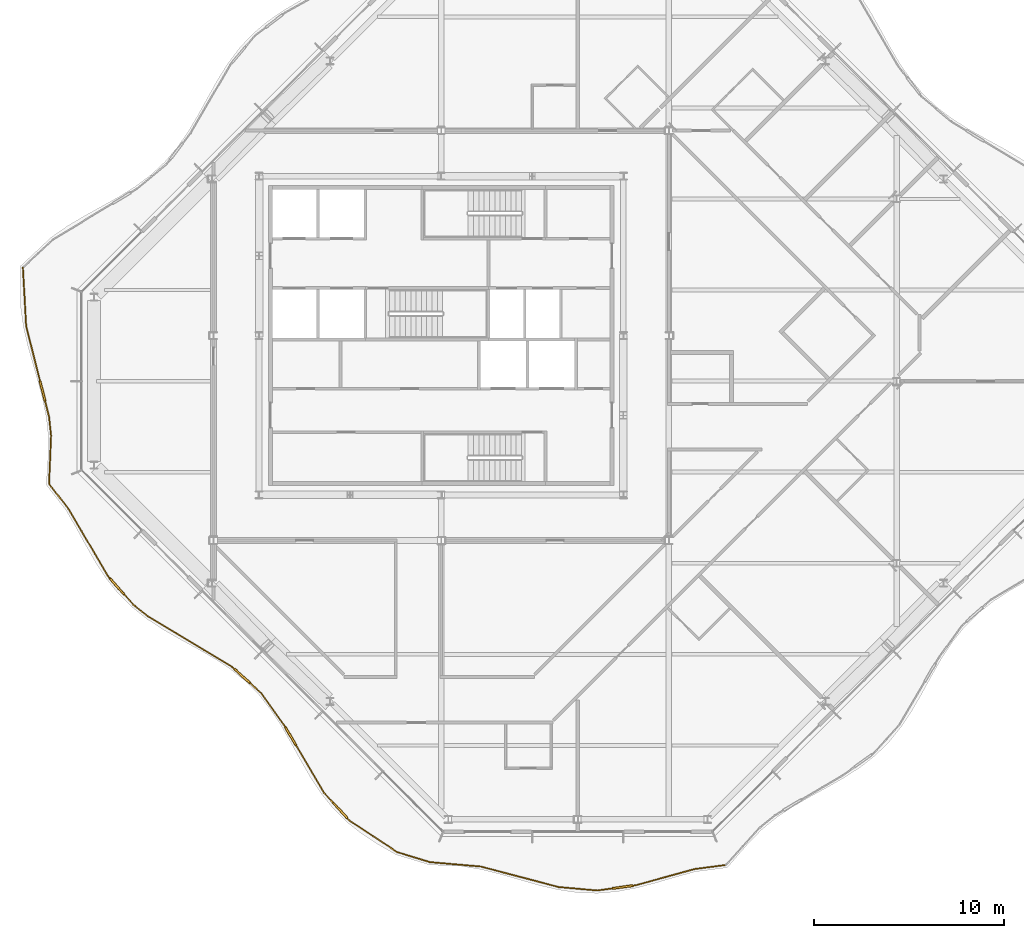
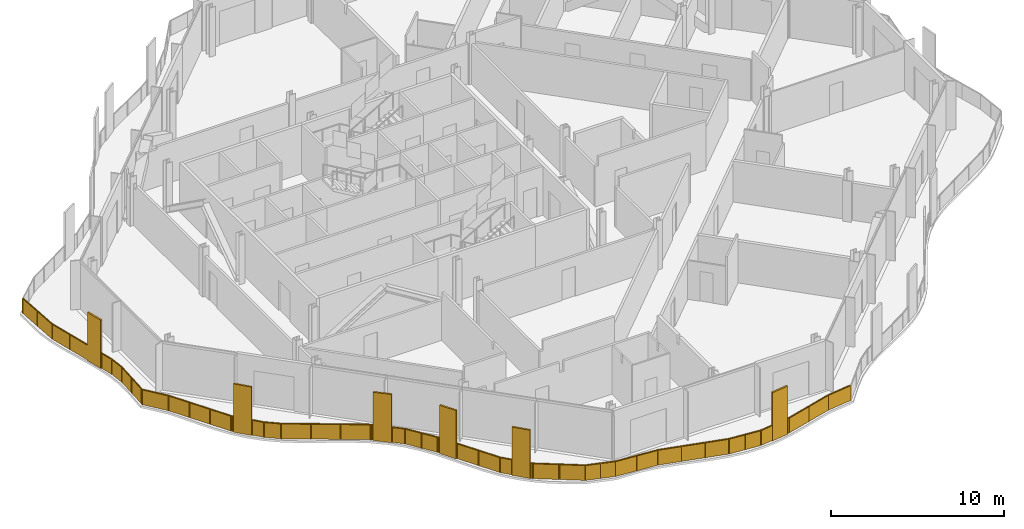
# One storey, part 13 of 17: 2 railings.
"""IFC4 building model written with IfcOpenShell, lengths in metres."""

from ifc_helpers import new_model, si_unit, direction, frame, origin, origin_2d, place, context, subcontext, project, spatial, polyline, rectangle, outline, extrude, material, type_object, element, save


model = new_model("IFC4")

# Units and contexts
model_context = context("Model", 3, precision=1e-05, world=origin(), true_north=direction((0.0, 1.0)))
body_context = subcontext(model_context, "Body", "Model", "MODEL_VIEW")
ifc_project = project(units=[si_unit("LENGTHUNIT", "METRE"), si_unit("AREAUNIT", "SQUARE_METRE"), si_unit("VOLUMEUNIT", "CUBIC_METRE"), si_unit("PLANEANGLEUNIT", "RADIAN"), si_unit("MASSUNIT", "GRAM", prefix="KILO")], contexts=[model_context])

# Site, building, storey
site_placement = place(None, origin())
site = spatial("IfcSite", under=ifc_project, at=site_placement, CompositionType="ELEMENT")
building_placement = place(site_placement, origin())
building = spatial("IfcBuilding", under=site, at=building_placement, Name="Cairn Pilgrim Tower", CompositionType="ELEMENT")
storey_placement = place(building_placement, frame((0.0, 0.0, 274.199951171875)))
storey = spatial("IfcBuildingStorey", under=building, at=storey_placement, Name="L70", CompositionType="ELEMENT", Elevation=274.199951171875)

# Railings
ifc_material = material(Name="Bronze anodised aluminium rail, posts and fin screens with laminated glass infill", Category="aluminium")
railing_type = type_object("IfcRailingType", Name="BALCONY GUARD WITH FIN SCREENS", PredefinedType="GUARDRAIL", material=ifc_material)
railing_1_placement = place(storey_placement, frame((-14.84521484375, 5.98046875, 0.0)))
element("IfcRailing", 1, at=railing_1_placement, inside=storey, type_object=railing_type, Name="Balcony guard BGF-6 with fin screens", PredefinedType="GUARDRAIL", context=body_context, shape_type="SweptSolid", body=[
    extrude(rectangle(XDim=0.050048828125, YDim=0.050048828125, at=origin_2d()), frame((0.0, 0.0, 1.0751953125), z_axis=(0.055123484035, -0.998479544862, 0.0), x_axis=(0.998479544862, 0.055123484035, 0.0)), (0.0, 0.0, 1.0), 3.08251953125),
    extrude(rectangle(XDim=1.10009765625, YDim=0.110107421875, at=origin_2d()), frame((1.032958984375, -6.500732421875, 0.0), z_axis=(0.0, 0.0, 1.0), x_axis=(0.244521062946, -0.969643980941, 0.0)), (0.0, 0.0, 1.0), 3.39990234375),
    extrude(rectangle(XDim=0.050048828125, YDim=0.050048828125, at=origin_2d()), frame((0.169921875, -3.077880859375, 1.0751953125), z_axis=(0.244521062946, -0.969643980941, 0.0), x_axis=(0.969643980941, 0.244521062946, 0.0)), (0.0, 0.0, 1.0), 2.97998046875),
    extrude(rectangle(XDim=0.050048828125, YDim=0.050048828125, at=origin_2d()), frame((1.16748046875, -7.033935546875, 1.0751953125), z_axis=(0.244521062946, -0.969643980941, 0.0), x_axis=(0.969643980941, 0.244521062946, 0.0)), (0.0, 0.0, 1.0), 0.866455078125),
    extrude(rectangle(XDim=0.050048828125, YDim=0.050048828125, at=origin_2d()), frame((1.37939453125, -7.8740234375, 1.0751953125), z_axis=(0.105109617708, -0.994460641889, 0.0), x_axis=(0.994460641889, 0.105109617708, 0.0)), (0.0, 0.0, 1.0), 0.987060546875),
    extrude(rectangle(XDim=0.050048828125, YDim=0.050048828125, at=origin_2d()), frame((1.483154296875, -8.855712890625, 1.0751953125), z_axis=(-0.041393903979, -0.999142905051, 0.0), x_axis=(0.999142905051, -0.041393903979, 0.0)), (0.0, 0.0, 1.0), 2.489013671875),
    extrude(rectangle(XDim=0.050048828125, YDim=0.050048828125, at=origin_2d()), origin(), (0.0, 0.0, 1.0), 1.050048828125),
    extrude(rectangle(XDim=0.050048828125, YDim=0.050048828125, at=origin_2d()), frame((0.0849609375, -1.5390625, 0.0)), (0.0, 0.0, 1.0), 1.050048828125),
    extrude(rectangle(XDim=0.050048828125, YDim=0.050048828125, at=origin_2d()), frame((0.169921875, -3.077880859375, 0.0)), (0.0, 0.0, 1.0), 1.050048828125),
    extrude(rectangle(XDim=0.050048828125, YDim=0.050048828125, at=origin_2d()), frame((0.53125, -4.510498046875, 0.0)), (0.0, 0.0, 1.0), 1.050048828125),
    extrude(rectangle(XDim=0.050048828125, YDim=0.050048828125, at=origin_2d()), frame((0.892578125, -5.943115234375, 0.0)), (0.0, 0.0, 1.0), 1.050048828125),
    extrude(rectangle(XDim=0.050048828125, YDim=0.050048828125, at=origin_2d()), frame((1.173583984375, -7.05810546875, 0.0)), (0.0, 0.0, 1.0), 1.050048828125),
    extrude(rectangle(XDim=0.050048828125, YDim=0.050048828125, at=origin_2d()), frame((1.37939453125, -7.8740234375, 0.0)), (0.0, 0.0, 1.0), 1.050048828125),
    extrude(rectangle(XDim=0.050048828125, YDim=0.050048828125, at=origin_2d()), frame((1.483154296875, -8.855712890625, 0.0)), (0.0, 0.0, 1.0), 1.050048828125),
    extrude(rectangle(XDim=0.050048828125, YDim=0.050048828125, at=origin_2d()), frame((1.431640625, -10.09912109375, 0.0)), (0.0, 0.0, 1.0), 1.050048828125),
    extrude(rectangle(XDim=0.050048828125, YDim=0.050048828125, at=origin_2d()), frame((1.380126953125, -11.342529296875, 0.0)), (0.0, 0.0, 1.0), 1.050048828125),
    extrude(outline(polyline([(0.02490234375, 0.0), (1.516357421875, 0.0), (1.516357421875, 1.050048828125), (0.02490234375, 1.050048828125), (0.02490234375, 0.0)])), frame((0.005859375, 0.000244140625, 0.0), z_axis=(-0.998479544862, -0.055123484035, 0.0), x_axis=(0.055123484035, -0.998479544862, 0.0)), (0.0, 0.0, 1.0), 0.011962890625),
    extrude(outline(polyline([(0.02490234375, 0.0), (1.516357421875, 0.0), (1.516357421875, 1.050048828125), (0.02490234375, 1.050048828125), (0.02490234375, 0.0)])), frame((0.0908203125, -1.53857421875, 0.0), z_axis=(-0.998479544862, -0.055123484035, 0.0), x_axis=(0.055123484035, -0.998479544862, 0.0)), (0.0, 0.0, 1.0), 0.011962890625),
    extrude(outline(polyline([(0.02490234375, 0.0), (1.452392578125, 0.0), (1.452392578125, 1.050048828125), (0.02490234375, 1.050048828125), (0.02490234375, 0.0)])), frame((0.17578125, -3.076416015625, 0.0), z_axis=(-0.969643980941, -0.244521062946, 0.0), x_axis=(0.244521062946, -0.969643980941, 0.0)), (0.0, 0.0, 1.0), 0.011962890625),
    extrude(outline(polyline([(0.02490234375, 0.0), (1.452392578125, 0.0), (1.452392578125, 1.050048828125), (0.02490234375, 1.050048828125), (0.02490234375, 0.0)])), frame((0.537109375, -4.509033203125, 0.0), z_axis=(-0.969643980941, -0.244521062946, 0.0), x_axis=(0.244521062946, -0.969643980941, 0.0)), (0.0, 0.0, 1.0), 0.011962890625),
    extrude(outline(polyline([(0.02490234375, 0.0), (0.81640625, 0.0), (0.81640625, 1.050048828125), (0.02490234375, 1.050048828125), (0.02490234375, 0.0)])), frame((1.179443359375, -7.056884765625, 0.0), z_axis=(-0.969643980941, -0.244521062946, 0.0), x_axis=(0.244521062946, -0.969643980941, 0.0)), (0.0, 0.0, 1.0), 0.011962890625),
    extrude(outline(polyline([(0.02490234375, 0.0), (0.962158203125, 0.0), (0.962158203125, 1.050048828125), (0.02490234375, 1.050048828125), (0.02490234375, 0.0)])), frame((1.38525390625, -7.873291015625, 0.0), z_axis=(-0.994460641889, -0.105109617708, 0.0), x_axis=(0.105109617708, -0.994460641889, 0.0)), (0.0, 0.0, 1.0), 0.011962890625),
    extrude(outline(polyline([(0.02490234375, 0.0), (1.219482421875, 0.0), (1.219482421875, 1.050048828125), (0.02490234375, 1.050048828125), (0.02490234375, 0.0)])), frame((1.489013671875, -8.85595703125, 0.0), z_axis=(-0.999142905051, 0.041393903979, 0.0), x_axis=(-0.041393903979, -0.999142905051, 0.0)), (0.0, 0.0, 1.0), 0.011962890625),
    extrude(outline(polyline([(0.02490234375, 0.0), (1.219482421875, 0.0), (1.219482421875, 1.050048828125), (0.02490234375, 1.050048828125), (0.02490234375, 0.0)])), frame((1.4375, -10.099365234375, 0.0), z_axis=(-0.999142905051, 0.041393903979, 0.0), x_axis=(-0.041393903979, -0.999142905051, 0.0)), (0.0, 0.0, 1.0), 0.011962890625),
])
railing_2_placement = place(storey_placement, frame((-13.467529296875, -5.421875, 0.0)))
element("IfcRailing", 2, at=railing_2_placement, inside=storey, type_object=railing_type, Name="Balcony guard BGF-7 with fin screens", PredefinedType="GUARDRAIL", context=body_context, shape_type="SweptSolid", body=[
    extrude(rectangle(XDim=0.050048828125, YDim=0.050048828125, at=origin_2d()), frame((0.0, 0.0, 1.0751953125), z_axis=(0.616035920196, -0.78771806189, 0.0), x_axis=(0.78771806189, 0.616035920196, 0.0)), (0.0, 0.0, 1.0), 1.643798828125),
    extrude(rectangle(XDim=0.050048828125, YDim=0.050048828125, at=origin_2d()), frame((1.0126953125, -1.294921875, 1.0751953125), z_axis=(0.506256665466, -0.862382855042, 0.0), x_axis=(0.862382855042, 0.506256665466, 0.0)), (0.0, 0.0, 1.0), 4.151611328125),
    extrude(rectangle(XDim=1.10009765625, YDim=0.110107421875, at=origin_2d()), frame((3.58056640625, -5.3974609375, 0.0), z_axis=(0.0, 0.0, 1.0), x_axis=(0.665849712698, -0.746085893246, 0.0)), (0.0, 0.0, 1.0), 3.39990234375),
    extrude(rectangle(XDim=0.050048828125, YDim=0.050048828125, at=origin_2d()), frame((3.114501953125, -4.875244140625, 1.0751953125), z_axis=(0.665849712698, -0.746085893246, 0.0), x_axis=(0.746085893246, 0.665849712698, 0.0)), (0.0, 0.0, 1.0), 0.150146484375),
    extrude(rectangle(XDim=0.050048828125, YDim=0.050048828125, at=origin_2d()), frame((3.94677734375, -5.807861328125, 1.0751953125), z_axis=(0.665849712698, -0.746085893246, 0.0), x_axis=(0.746085893246, 0.665849712698, 0.0)), (0.0, 0.0, 1.0), 0.73681640625),
    extrude(rectangle(XDim=0.050048828125, YDim=0.050048828125, at=origin_2d()), frame((4.4375, -6.357666015625, 1.0751953125), z_axis=(0.781422160821, -0.624002729623, 0.0), x_axis=(0.624002729623, 0.781422160821, 0.0)), (0.0, 0.0, 1.0), 0.989501953125),
    extrude(rectangle(XDim=0.050048828125, YDim=0.050048828125, at=origin_2d()), frame((5.210693359375, -6.97509765625, 1.0751953125), z_axis=(0.856994085793, -0.515326243185, 0.0), x_axis=(0.515326243185, 0.856994085793, 0.0)), (0.0, 0.0, 1.0), 5.186279296875),
    extrude(rectangle(XDim=1.10009765625, YDim=0.110107421875, at=origin_2d()), frame((10.17529296875, -10.116455078125, 0.0), z_axis=(0.0, 0.0, 1.0), x_axis=(0.742700126156, -0.669624165191, 0.0)), (0.0, 0.0, 1.0), 3.39990234375),
    extrude(rectangle(XDim=0.050048828125, YDim=0.050048828125, at=origin_2d()), frame((9.6552734375, -9.647705078125, 1.0751953125), z_axis=(0.742700126156, -0.669624165191, 0.0), x_axis=(0.669624165191, 0.742700126156, 0.0)), (0.0, 0.0, 1.0), 0.150146484375),
    extrude(rectangle(XDim=0.050048828125, YDim=0.050048828125, at=origin_2d()), frame((10.583740234375, -10.48486328125, 1.0751953125), z_axis=(0.742700126156, -0.669624165191, 0.0), x_axis=(0.669624165191, 0.742700126156, 0.0)), (0.0, 0.0, 1.0), 0.79443359375),
    extrude(rectangle(XDim=0.050048828125, YDim=0.050048828125, at=origin_2d()), frame((11.173828125, -11.016845703125, 1.0751953125), z_axis=(0.583365099012, -0.812210047497, 0.0), x_axis=(0.812210047497, 0.583365099012, 0.0)), (0.0, 0.0, 1.0), 2.06103515625),
    extrude(rectangle(XDim=1.10009765625, YDim=0.110107421875, at=origin_2d()), frame((12.731689453125, -13.2939453125, 0.0), z_axis=(0.0, 0.0, 1.0), x_axis=(0.507768793992, -0.86149338468, 0.0)), (0.0, 0.0, 1.0), 3.39990234375),
    extrude(rectangle(XDim=0.050048828125, YDim=0.050048828125, at=origin_2d()), frame((12.376220703125, -12.69091796875, 1.0751953125), z_axis=(0.507768793992, -0.86149338468, 0.0), x_axis=(0.86149338468, 0.507768793992, 0.0)), (0.0, 0.0, 1.0), 0.150146484375),
    extrude(rectangle(XDim=0.050048828125, YDim=0.050048828125, at=origin_2d()), frame((13.010986328125, -13.767822265625, 1.0751953125), z_axis=(0.507768793992, -0.86149338468, 0.0), x_axis=(0.86149338468, 0.507768793992, 0.0)), (0.0, 0.0, 1.0), 2.89599609375),
    extrude(rectangle(XDim=1.10009765625, YDim=0.110107421875, at=origin_2d()), frame((15.340576171875, -17.2060546875, 0.0), z_axis=(0.0, 0.0, 1.0), x_axis=(0.673341708733, -0.739331416403, 0.0)), (0.0, 0.0, 1.0), 3.39990234375),
    extrude(rectangle(XDim=0.050048828125, YDim=0.050048828125, at=origin_2d()), frame((14.4814453125, -16.2626953125, 1.0751953125), z_axis=(0.673341708733, -0.739331416403, 0.0), x_axis=(0.739331416403, 0.673341708733, 0.0)), (0.0, 0.0, 1.0), 0.725830078125),
    extrude(rectangle(XDim=0.050048828125, YDim=0.050048828125, at=origin_2d()), frame((15.7109375, -17.612548828125, 1.0751953125), z_axis=(0.673341708733, -0.739331416403, 0.0), x_axis=(0.739331416403, 0.673341708733, 0.0)), (0.0, 0.0, 1.0), 0.1533203125),
    extrude(rectangle(XDim=0.050048828125, YDim=0.050048828125, at=origin_2d()), frame((15.814208984375, -17.72607421875, 1.0751953125), z_axis=(0.834010502935, -0.551748566826, 0.0), x_axis=(0.551748566826, 0.834010502935, 0.0)), (0.0, 0.0, 1.0), 3.03857421875),
    extrude(rectangle(XDim=0.050048828125, YDim=0.050048828125, at=origin_2d()), frame((18.348388671875, -19.402587890625, 1.0751953125), z_axis=(0.956385158861, -0.292108589245, 0.0), x_axis=(0.292108589245, 0.956385158861, 0.0)), (0.0, 0.0, 1.0), 1.805419921875),
    extrude(rectangle(XDim=0.050048828125, YDim=0.050048828125, at=origin_2d()), frame((20.074951171875, -19.929931640625, 1.0751953125), z_axis=(0.996279376019, -0.086182393327, 0.0), x_axis=(0.086182393327, 0.996279376019, 0.0)), (0.0, 0.0, 1.0), 2.685546875),
    extrude(rectangle(XDim=0.050048828125, YDim=0.050048828125, at=origin_2d()), frame((22.75048828125, -20.161376953125, 1.0751953125), z_axis=(0.9670425668, -0.254614756046, 0.0), x_axis=(0.254614756046, 0.9670425668, 0.0)), (0.0, 0.0, 1.0), 4.25439453125),
    extrude(rectangle(XDim=0.050048828125, YDim=0.050048828125, at=origin_2d()), frame((26.86474609375, -21.24462890625, 1.0751953125), z_axis=(0.996097046047, -0.08826479965, 0.0), x_axis=(0.08826479965, 0.996097046047, 0.0)), (0.0, 0.0, 1.0), 2.035888671875),
    extrude(rectangle(XDim=1.10009765625, YDim=0.110107421875, at=origin_2d()), frame((30.229248046875, -21.24267578125, 0.0), z_axis=(0.0, 0.0, 1.0), x_axis=(0.990896024576, 0.134629374507, 0.0)), (0.0, 0.0, 1.0), 3.39990234375),
    extrude(rectangle(XDim=0.050048828125, YDim=0.050048828125, at=origin_2d()), frame((28.892578125, -21.42431640625, 1.0751953125), z_axis=(0.990896024576, 0.134629374507, 0.0), x_axis=(-0.134629374507, 0.990896024576, 0.0)), (0.0, 0.0, 1.0), 0.799072265625),
    extrude(rectangle(XDim=0.050048828125, YDim=0.050048828125, at=origin_2d()), frame((30.7744140625, -21.168701171875, 1.0751953125), z_axis=(0.990896024576, 0.134629374507, 0.0), x_axis=(-0.134629374507, 0.990896024576, 0.0)), (0.0, 0.0, 1.0), 0.150146484375),
    extrude(rectangle(XDim=0.050048828125, YDim=0.050048828125, at=origin_2d()), frame((30.923095703125, -21.1484375, 1.0751953125), z_axis=(0.963917759149, 0.266200213368, 0.0), x_axis=(-0.266200213368, 0.963917759149, 0.0)), (0.0, 0.0, 1.0), 3.20166015625),
    extrude(rectangle(XDim=0.050048828125, YDim=0.050048828125, at=origin_2d()), frame((34.00927734375, -20.296142578125, 1.0751953125), z_axis=(0.991650796416, 0.128952308888, 0.0), x_axis=(-0.128952308888, 0.991650796416, 0.0)), (0.0, 0.0, 1.0), 1.61865234375),
    extrude(rectangle(XDim=0.050048828125, YDim=0.050048828125, at=origin_2d()), origin(), (0.0, 0.0, 1.0), 1.050048828125),
    extrude(rectangle(XDim=0.050048828125, YDim=0.050048828125, at=origin_2d()), frame((1.0126953125, -1.294921875, 0.0)), (0.0, 0.0, 1.0), 1.050048828125),
    extrude(rectangle(XDim=0.050048828125, YDim=0.050048828125, at=origin_2d()), frame((1.71337890625, -2.48828125, 0.0)), (0.0, 0.0, 1.0), 1.050048828125),
    extrude(rectangle(XDim=0.050048828125, YDim=0.050048828125, at=origin_2d()), frame((2.413818359375, -3.681884765625, 0.0)), (0.0, 0.0, 1.0), 1.050048828125),
    extrude(rectangle(XDim=0.050048828125, YDim=0.050048828125, at=origin_2d()), frame((3.114501953125, -4.875244140625, 0.0)), (0.0, 0.0, 1.0), 1.050048828125),
    extrude(rectangle(XDim=0.050048828125, YDim=0.050048828125, at=origin_2d()), frame((3.19775390625, -4.968505859375, 0.0)), (0.0, 0.0, 1.0), 1.050048828125),
    extrude(rectangle(XDim=0.050048828125, YDim=0.050048828125, at=origin_2d()), frame((3.963623046875, -5.82666015625, 0.0)), (0.0, 0.0, 1.0), 1.050048828125),
    extrude(rectangle(XDim=0.050048828125, YDim=0.050048828125, at=origin_2d()), frame((4.4375, -6.357666015625, 0.0)), (0.0, 0.0, 1.0), 1.050048828125),
    extrude(rectangle(XDim=0.050048828125, YDim=0.050048828125, at=origin_2d()), frame((5.210693359375, -6.97509765625, 0.0)), (0.0, 0.0, 1.0), 1.050048828125),
    extrude(rectangle(XDim=0.050048828125, YDim=0.050048828125, at=origin_2d()), frame((6.692138671875, -7.865966796875, 0.0)), (0.0, 0.0, 1.0), 1.050048828125),
    extrude(rectangle(XDim=0.050048828125, YDim=0.050048828125, at=origin_2d()), frame((8.173828125, -8.7568359375, 0.0)), (0.0, 0.0, 1.0), 1.050048828125),
    extrude(rectangle(XDim=0.050048828125, YDim=0.050048828125, at=origin_2d()), frame((9.6552734375, -9.647705078125, 0.0)), (0.0, 0.0, 1.0), 1.050048828125),
    extrude(rectangle(XDim=0.050048828125, YDim=0.050048828125, at=origin_2d()), frame((9.748291015625, -9.7314453125, 0.0)), (0.0, 0.0, 1.0), 1.050048828125),
    extrude(rectangle(XDim=0.050048828125, YDim=0.050048828125, at=origin_2d()), frame((10.602294921875, -10.50146484375, 0.0)), (0.0, 0.0, 1.0), 1.050048828125),
    extrude(rectangle(XDim=0.050048828125, YDim=0.050048828125, at=origin_2d()), frame((11.173828125, -11.016845703125, 0.0)), (0.0, 0.0, 1.0), 1.050048828125),
    extrude(rectangle(XDim=0.050048828125, YDim=0.050048828125, at=origin_2d()), frame((11.77490234375, -11.85400390625, 0.0)), (0.0, 0.0, 1.0), 1.050048828125),
    extrude(rectangle(XDim=0.050048828125, YDim=0.050048828125, at=origin_2d()), frame((12.376220703125, -12.69091796875, 0.0)), (0.0, 0.0, 1.0), 1.050048828125),
    extrude(rectangle(XDim=0.050048828125, YDim=0.050048828125, at=origin_2d()), frame((12.439697265625, -12.798583984375, 0.0)), (0.0, 0.0, 1.0), 1.050048828125),
    extrude(rectangle(XDim=0.050048828125, YDim=0.050048828125, at=origin_2d()), frame((13.023681640625, -13.789306640625, 0.0)), (0.0, 0.0, 1.0), 1.050048828125),
    extrude(rectangle(XDim=0.050048828125, YDim=0.050048828125, at=origin_2d()), frame((13.75244140625, -15.026123046875, 0.0)), (0.0, 0.0, 1.0), 1.050048828125),
    extrude(rectangle(XDim=0.050048828125, YDim=0.050048828125, at=origin_2d()), frame((14.4814453125, -16.2626953125, 0.0)), (0.0, 0.0, 1.0), 1.050048828125),
    extrude(rectangle(XDim=0.050048828125, YDim=0.050048828125, at=origin_2d()), frame((14.953369140625, -16.78076171875, 0.0)), (0.0, 0.0, 1.0), 1.050048828125),
    extrude(rectangle(XDim=0.050048828125, YDim=0.050048828125, at=origin_2d()), frame((15.727783203125, -17.631103515625, 0.0)), (0.0, 0.0, 1.0), 1.050048828125),
    extrude(rectangle(XDim=0.050048828125, YDim=0.050048828125, at=origin_2d()), frame((15.814208984375, -17.72607421875, 0.0)), (0.0, 0.0, 1.0), 1.050048828125),
    extrude(rectangle(XDim=0.050048828125, YDim=0.050048828125, at=origin_2d()), frame((17.081298828125, -18.564453125, 0.0)), (0.0, 0.0, 1.0), 1.050048828125),
    extrude(rectangle(XDim=0.050048828125, YDim=0.050048828125, at=origin_2d()), frame((18.348388671875, -19.402587890625, 0.0)), (0.0, 0.0, 1.0), 1.050048828125),
    extrude(rectangle(XDim=0.050048828125, YDim=0.050048828125, at=origin_2d()), frame((19.211669921875, -19.666259765625, 0.0)), (0.0, 0.0, 1.0), 1.050048828125),
    extrude(rectangle(XDim=0.050048828125, YDim=0.050048828125, at=origin_2d()), frame((20.074951171875, -19.929931640625, 0.0)), (0.0, 0.0, 1.0), 1.050048828125),
    extrude(rectangle(XDim=0.050048828125, YDim=0.050048828125, at=origin_2d()), frame((21.41259765625, -20.045654296875, 0.0)), (0.0, 0.0, 1.0), 1.050048828125),
    extrude(rectangle(XDim=0.050048828125, YDim=0.050048828125, at=origin_2d()), frame((22.75048828125, -20.161376953125, 0.0)), (0.0, 0.0, 1.0), 1.050048828125),
    extrude(rectangle(XDim=0.050048828125, YDim=0.050048828125, at=origin_2d()), frame((24.121826171875, -20.5224609375, 0.0)), (0.0, 0.0, 1.0), 1.050048828125),
    extrude(rectangle(XDim=0.050048828125, YDim=0.050048828125, at=origin_2d()), frame((25.493408203125, -20.883544921875, 0.0)), (0.0, 0.0, 1.0), 1.050048828125),
    extrude(rectangle(XDim=0.050048828125, YDim=0.050048828125, at=origin_2d()), frame((26.86474609375, -21.24462890625, 0.0)), (0.0, 0.0, 1.0), 1.050048828125),
    extrude(rectangle(XDim=0.050048828125, YDim=0.050048828125, at=origin_2d()), frame((27.878662109375, -21.33447265625, 0.0)), (0.0, 0.0, 1.0), 1.050048828125),
    extrude(rectangle(XDim=0.050048828125, YDim=0.050048828125, at=origin_2d()), frame((28.892578125, -21.42431640625, 0.0)), (0.0, 0.0, 1.0), 1.050048828125),
    extrude(rectangle(XDim=0.050048828125, YDim=0.050048828125, at=origin_2d()), frame((29.65966796875, -21.320068359375, 0.0)), (0.0, 0.0, 1.0), 1.050048828125),
    extrude(rectangle(XDim=0.050048828125, YDim=0.050048828125, at=origin_2d()), frame((30.799072265625, -21.165283203125, 0.0)), (0.0, 0.0, 1.0), 1.050048828125),
    extrude(rectangle(XDim=0.050048828125, YDim=0.050048828125, at=origin_2d()), frame((30.923095703125, -21.1484375, 0.0)), (0.0, 0.0, 1.0), 1.050048828125),
    extrude(rectangle(XDim=0.050048828125, YDim=0.050048828125, at=origin_2d()), frame((32.46630859375, -20.72216796875, 0.0)), (0.0, 0.0, 1.0), 1.050048828125),
    extrude(rectangle(XDim=0.050048828125, YDim=0.050048828125, at=origin_2d()), frame((34.00927734375, -20.296142578125, 0.0)), (0.0, 0.0, 1.0), 1.050048828125),
    extrude(rectangle(XDim=0.050048828125, YDim=0.050048828125, at=origin_2d()), frame((35.614501953125, -20.08740234375, 0.0)), (0.0, 0.0, 1.0), 1.050048828125),
    extrude(outline(polyline([(0.02490234375, 0.0), (1.618896484375, 0.0), (1.618896484375, 1.050048828125), (0.02490234375, 1.050048828125), (0.02490234375, 0.0)])), frame((0.004638671875, 0.003662109375, 0.0), z_axis=(-0.78771806189, -0.616035920196, 0.0), x_axis=(0.616035920196, -0.78771806189, 0.0)), (0.0, 0.0, 1.0), 0.011962890625),
    extrude(outline(polyline([(0.02490234375, 0.0), (1.35888671875, 0.0), (1.35888671875, 1.050048828125), (0.02490234375, 1.050048828125), (0.02490234375, 0.0)])), frame((1.017822265625, -1.2919921875, 0.0), z_axis=(-0.862382855042, -0.506256665466, 0.0), x_axis=(0.506256665466, -0.862382855042, 0.0)), (0.0, 0.0, 1.0), 0.011962890625),
    extrude(outline(polyline([(0.02490234375, 0.0), (1.35888671875, 0.0), (1.35888671875, 1.050048828125), (0.02490234375, 1.050048828125), (0.02490234375, 0.0)])), frame((1.718505859375, -2.4853515625, 0.0), z_axis=(-0.862382855042, -0.506256665466, 0.0), x_axis=(0.506256665466, -0.862382855042, 0.0)), (0.0, 0.0, 1.0), 0.011962890625),
    extrude(outline(polyline([(0.02490234375, 0.0), (1.35888671875, 0.0), (1.35888671875, 1.050048828125), (0.02490234375, 1.050048828125), (0.02490234375, 0.0)])), frame((2.4189453125, -3.6787109375, 0.0), z_axis=(-0.862382855042, -0.506256665466, 0.0), x_axis=(0.506256665466, -0.862382855042, 0.0)), (0.0, 0.0, 1.0), 0.011962890625),
    extrude(outline(polyline([(0.02490234375, 0.0), (0.10009765625, 0.0), (0.10009765625, 1.050048828125), (0.02490234375, 1.050048828125), (0.02490234375, 0.0)])), frame((3.118896484375, -4.871337890625, 0.0), z_axis=(-0.746085893246, -0.665849712698, 0.0), x_axis=(0.665849712698, -0.746085893246, 0.0)), (0.0, 0.0, 1.0), 0.011962890625),
    extrude(outline(polyline([(0.02490234375, 0.0), (0.686767578125, 0.0), (0.686767578125, 1.050048828125), (0.02490234375, 1.050048828125), (0.02490234375, 0.0)])), frame((3.968017578125, -5.822509765625, 0.0), z_axis=(-0.746085893246, -0.665849712698, 0.0), x_axis=(0.665849712698, -0.746085893246, 0.0)), (0.0, 0.0, 1.0), 0.011962890625),
    extrude(outline(polyline([(0.02490234375, 0.0), (0.96435546875, 0.0), (0.96435546875, 1.050048828125), (0.02490234375, 1.050048828125), (0.02490234375, 0.0)])), frame((4.441162109375, -6.35302734375, 0.0), z_axis=(-0.624002729623, -0.781422160821, 0.0), x_axis=(0.781422160821, -0.624002729623, 0.0)), (0.0, 0.0, 1.0), 0.011962890625),
    extrude(outline(polyline([(0.02490234375, 0.0), (1.70361328125, 0.0), (1.70361328125, 1.050048828125), (0.02490234375, 1.050048828125), (0.02490234375, 0.0)])), frame((5.2138671875, -6.969970703125, 0.0), z_axis=(-0.515326243185, -0.856994085793, 0.0), x_axis=(0.856994085793, -0.515326243185, 0.0)), (0.0, 0.0, 1.0), 0.011962890625),
    extrude(outline(polyline([(0.02490234375, 0.0), (1.70361328125, 0.0), (1.70361328125, 1.050048828125), (0.02490234375, 1.050048828125), (0.02490234375, 0.0)])), frame((6.6953125, -7.86083984375, 0.0), z_axis=(-0.515326243185, -0.856994085793, 0.0), x_axis=(0.856994085793, -0.515326243185, 0.0)), (0.0, 0.0, 1.0), 0.011962890625),
    extrude(outline(polyline([(0.02490234375, 0.0), (1.70361328125, 0.0), (1.70361328125, 1.050048828125), (0.02490234375, 1.050048828125), (0.02490234375, 0.0)])), frame((8.1767578125, -8.751708984375, 0.0), z_axis=(-0.515326243185, -0.856994085793, 0.0), x_axis=(0.856994085793, -0.515326243185, 0.0)), (0.0, 0.0, 1.0), 0.011962890625),
    extrude(outline(polyline([(0.02490234375, 0.0), (0.10009765625, 0.0), (0.10009765625, 1.050048828125), (0.02490234375, 1.050048828125), (0.02490234375, 0.0)])), frame((9.6591796875, -9.643310546875, 0.0), z_axis=(-0.669624165191, -0.742700126156, 0.0), x_axis=(0.742700126156, -0.669624165191, 0.0)), (0.0, 0.0, 1.0), 0.011962890625),
    extrude(outline(polyline([(0.02490234375, 0.0), (0.744384765625, 0.0), (0.744384765625, 1.050048828125), (0.02490234375, 1.050048828125), (0.02490234375, 0.0)])), frame((10.606201171875, -10.4970703125, 0.0), z_axis=(-0.669624165191, -0.742700126156, 0.0), x_axis=(0.742700126156, -0.669624165191, 0.0)), (0.0, 0.0, 1.0), 0.011962890625),
    extrude(outline(polyline([(0.02490234375, 0.0), (1.005615234375, 0.0), (1.005615234375, 1.050048828125), (0.02490234375, 1.050048828125), (0.02490234375, 0.0)])), frame((11.1787109375, -11.013427734375, 0.0), z_axis=(-0.812210047497, -0.583365099012, 0.0), x_axis=(0.583365099012, -0.812210047497, 0.0)), (0.0, 0.0, 1.0), 0.011962890625),
    extrude(outline(polyline([(0.02490234375, 0.0), (1.005615234375, 0.0), (1.005615234375, 1.050048828125), (0.02490234375, 1.050048828125), (0.02490234375, 0.0)])), frame((11.77978515625, -11.850341796875, 0.0), z_axis=(-0.812210047497, -0.583365099012, 0.0), x_axis=(0.583365099012, -0.812210047497, 0.0)), (0.0, 0.0, 1.0), 0.011962890625),
    extrude(outline(polyline([(0.02490234375, 0.0), (0.10009765625, 0.0), (0.10009765625, 1.050048828125), (0.02490234375, 1.050048828125), (0.02490234375, 0.0)])), frame((12.38134765625, -12.68798828125, 0.0), z_axis=(-0.86149338468, -0.507768793992, 0.0), x_axis=(0.507768793992, -0.86149338468, 0.0)), (0.0, 0.0, 1.0), 0.011962890625),
    extrude(outline(polyline([(0.02490234375, 0.0), (1.410400390625, 0.0), (1.410400390625, 1.050048828125), (0.02490234375, 1.050048828125), (0.02490234375, 0.0)])), frame((13.02880859375, -13.786376953125, 0.0), z_axis=(-0.86149338468, -0.507768793992, 0.0), x_axis=(0.507768793992, -0.86149338468, 0.0)), (0.0, 0.0, 1.0), 0.011962890625),
    extrude(outline(polyline([(0.02490234375, 0.0), (1.410400390625, 0.0), (1.410400390625, 1.050048828125), (0.02490234375, 1.050048828125), (0.02490234375, 0.0)])), frame((13.7578125, -15.02294921875, 0.0), z_axis=(-0.86149338468, -0.507768793992, 0.0), x_axis=(0.507768793992, -0.86149338468, 0.0)), (0.0, 0.0, 1.0), 0.011962890625),
    extrude(outline(polyline([(0.02490234375, 0.0), (0.67578125, 0.0), (0.67578125, 1.050048828125), (0.02490234375, 1.050048828125), (0.02490234375, 0.0)])), frame((14.48583984375, -16.2587890625, 0.0), z_axis=(-0.739331416403, -0.673341708733, 0.0), x_axis=(0.673341708733, -0.739331416403, 0.0)), (0.0, 0.0, 1.0), 0.011962890625),
    extrude(outline(polyline([(0.02490234375, 0.0), (0.103271484375, 0.0), (0.103271484375, 1.050048828125), (0.02490234375, 1.050048828125), (0.02490234375, 0.0)])), frame((15.732177734375, -17.627197265625, 0.0), z_axis=(-0.739331416403, -0.673341708733, 0.0), x_axis=(0.673341708733, -0.739331416403, 0.0)), (0.0, 0.0, 1.0), 0.011962890625),
    extrude(outline(polyline([(0.02490234375, 0.0), (1.494140625, 0.0), (1.494140625, 1.050048828125), (0.02490234375, 1.050048828125), (0.02490234375, 0.0)])), frame((15.817626953125, -17.72119140625, 0.0), z_axis=(-0.551748566826, -0.834010502935, 0.0), x_axis=(0.834010502935, -0.551748566826, 0.0)), (0.0, 0.0, 1.0), 0.011962890625),
    extrude(outline(polyline([(0.02490234375, 0.0), (1.494140625, 0.0), (1.494140625, 1.050048828125), (0.02490234375, 1.050048828125), (0.02490234375, 0.0)])), frame((17.084716796875, -18.559326171875, 0.0), z_axis=(-0.551748566826, -0.834010502935, 0.0), x_axis=(0.834010502935, -0.551748566826, 0.0)), (0.0, 0.0, 1.0), 0.011962890625),
    extrude(outline(polyline([(0.02490234375, 0.0), (0.877685546875, 0.0), (0.877685546875, 1.050048828125), (0.02490234375, 1.050048828125), (0.02490234375, 0.0)])), frame((18.35009765625, -19.39697265625, 0.0), z_axis=(-0.292108589245, -0.956385158861, 0.0), x_axis=(0.956385158861, -0.292108589245, 0.0)), (0.0, 0.0, 1.0), 0.011962890625),
    extrude(outline(polyline([(0.02490234375, 0.0), (0.877685546875, 0.0), (0.877685546875, 1.050048828125), (0.02490234375, 1.050048828125), (0.02490234375, 0.0)])), frame((19.21337890625, -19.66064453125, 0.0), z_axis=(-0.292108589245, -0.956385158861, 0.0), x_axis=(0.956385158861, -0.292108589245, 0.0)), (0.0, 0.0, 1.0), 0.011962890625),
    extrude(outline(polyline([(0.02490234375, 0.0), (1.317626953125, 0.0), (1.317626953125, 1.050048828125), (0.02490234375, 1.050048828125), (0.02490234375, 0.0)])), frame((20.075439453125, -19.924072265625, 0.0), z_axis=(-0.086182393327, -0.996279376019, 0.0), x_axis=(0.996279376019, -0.086182393327, 0.0)), (0.0, 0.0, 1.0), 0.011962890625),
    extrude(outline(polyline([(0.02490234375, 0.0), (1.317626953125, 0.0), (1.317626953125, 1.050048828125), (0.02490234375, 1.050048828125), (0.02490234375, 0.0)])), frame((21.413330078125, -20.039794921875, 0.0), z_axis=(-0.086182393327, -0.996279376019, 0.0), x_axis=(0.996279376019, -0.086182393327, 0.0)), (0.0, 0.0, 1.0), 0.011962890625),
    extrude(outline(polyline([(0.02490234375, 0.0), (1.39306640625, 0.0), (1.39306640625, 1.050048828125), (0.02490234375, 1.050048828125), (0.02490234375, 0.0)])), frame((22.751953125, -20.155517578125, 0.0), z_axis=(-0.254614756046, -0.9670425668, 0.0), x_axis=(0.9670425668, -0.254614756046, 0.0)), (0.0, 0.0, 1.0), 0.011962890625),
    extrude(outline(polyline([(0.02490234375, 0.0), (1.39306640625, 0.0), (1.39306640625, 1.050048828125), (0.02490234375, 1.050048828125), (0.02490234375, 0.0)])), frame((24.12353515625, -20.5166015625, 0.0), z_axis=(-0.254614756046, -0.9670425668, 0.0), x_axis=(0.9670425668, -0.254614756046, 0.0)), (0.0, 0.0, 1.0), 0.011962890625),
    extrude(outline(polyline([(0.02490234375, 0.0), (1.39306640625, 0.0), (1.39306640625, 1.050048828125), (0.02490234375, 1.050048828125), (0.02490234375, 0.0)])), frame((25.494873046875, -20.877685546875, 0.0), z_axis=(-0.254614756046, -0.9670425668, 0.0), x_axis=(0.9670425668, -0.254614756046, 0.0)), (0.0, 0.0, 1.0), 0.011962890625),
    extrude(outline(polyline([(0.02490234375, 0.0), (0.992919921875, 0.0), (0.992919921875, 1.050048828125), (0.02490234375, 1.050048828125), (0.02490234375, 0.0)])), frame((26.865234375, -21.23876953125, 0.0), z_axis=(-0.08826479965, -0.996097046047, 0.0), x_axis=(0.996097046047, -0.08826479965, 0.0)), (0.0, 0.0, 1.0), 0.011962890625),
    extrude(outline(polyline([(0.02490234375, 0.0), (0.992919921875, 0.0), (0.992919921875, 1.050048828125), (0.02490234375, 1.050048828125), (0.02490234375, 0.0)])), frame((27.879150390625, -21.32861328125, 0.0), z_axis=(-0.08826479965, -0.996097046047, 0.0), x_axis=(0.996097046047, -0.08826479965, 0.0)), (0.0, 0.0, 1.0), 0.011962890625),
    extrude(outline(polyline([(0.02490234375, 0.0), (0.7490234375, 0.0), (0.7490234375, 1.050048828125), (0.02490234375, 1.050048828125), (0.02490234375, 0.0)])), frame((28.891845703125, -21.41845703125, 0.0), z_axis=(0.134629374506, -0.990896024576, 0.0), x_axis=(0.990896024576, 0.134629374506, 0.0)), (0.0, 0.0, 1.0), 0.011962890625),
    extrude(outline(polyline([(0.02490234375, 0.0), (0.10009765625, 0.0), (0.10009765625, 1.050048828125), (0.02490234375, 1.050048828125), (0.02490234375, 0.0)])), frame((30.79833984375, -21.159423828125, 0.0), z_axis=(0.134629374506, -0.990896024576, 0.0), x_axis=(0.990896024576, 0.134629374506, 0.0)), (0.0, 0.0, 1.0), 0.011962890625),
    extrude(outline(polyline([(0.02490234375, 0.0), (1.575927734375, 0.0), (1.575927734375, 1.050048828125), (0.02490234375, 1.050048828125), (0.02490234375, 0.0)])), frame((30.92138671875, -21.142578125, 0.0), z_axis=(0.266200213368, -0.963917759149, 0.0), x_axis=(0.963917759149, 0.266200213368, 0.0)), (0.0, 0.0, 1.0), 0.011962890625),
    extrude(outline(polyline([(0.02490234375, 0.0), (1.575927734375, 0.0), (1.575927734375, 1.050048828125), (0.02490234375, 1.050048828125), (0.02490234375, 0.0)])), frame((32.464599609375, -20.716552734375, 0.0), z_axis=(0.266200213368, -0.963917759149, 0.0), x_axis=(0.963917759149, 0.266200213368, 0.0)), (0.0, 0.0, 1.0), 0.011962890625),
    extrude(outline(polyline([(0.02490234375, 0.0), (1.59375, 0.0), (1.59375, 1.050048828125), (0.02490234375, 1.050048828125), (0.02490234375, 0.0)])), frame((34.008544921875, -20.290283203125, 0.0), z_axis=(0.128952308888, -0.991650796416, 0.0), x_axis=(0.991650796416, 0.128952308888, 0.0)), (0.0, 0.0, 1.0), 0.011962890625),
])

save(model, "model.ifc")
